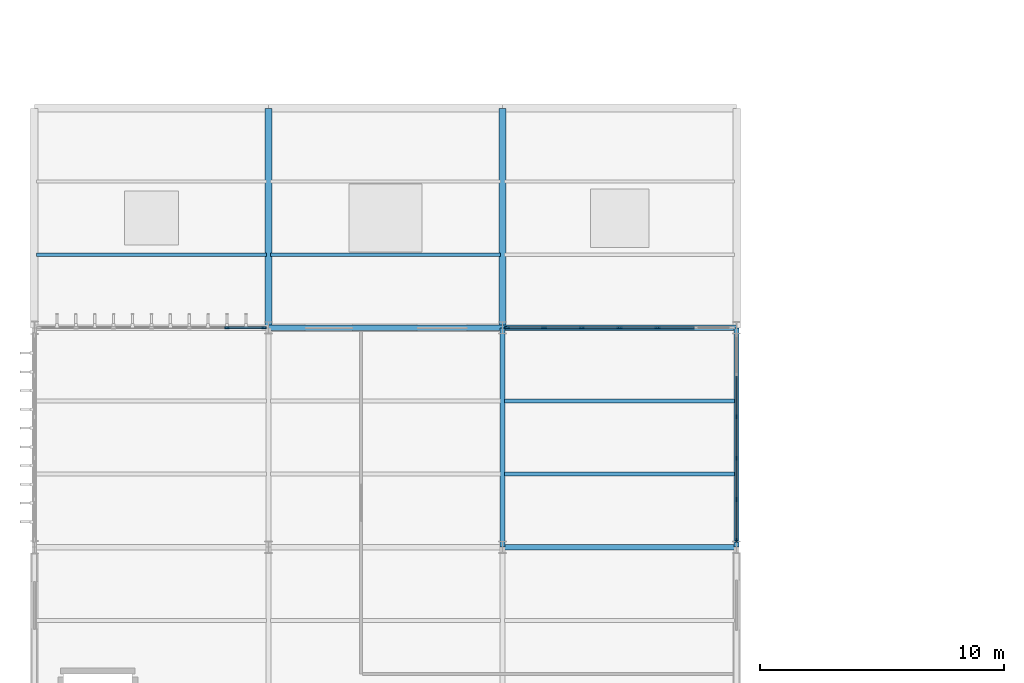
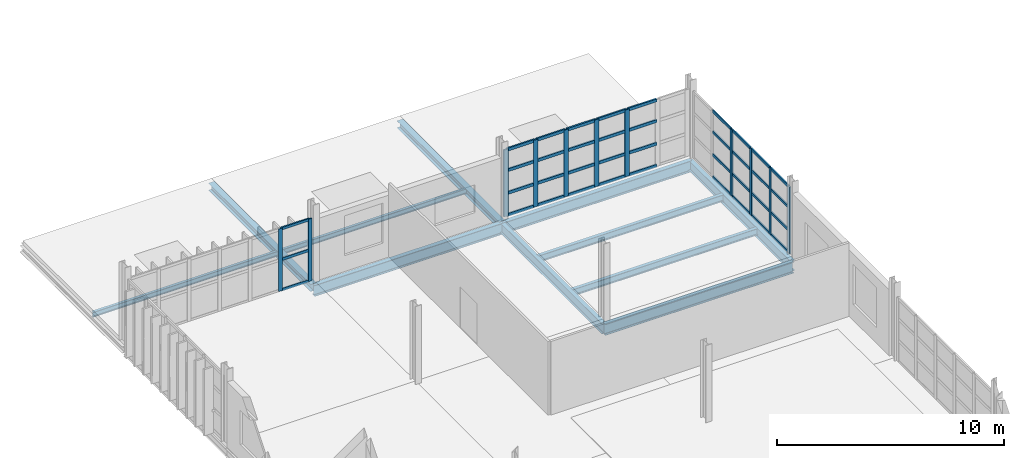
# One storey, part 13 of 52: 50 members, 11 beams, 3 elements without a shape of their own.
"""IFC4 building model written with IfcOpenShell, lengths in metres."""

from ifc_helpers import new_model, si_unit, direction, frame, origin, origin_2d, place, context, subcontext, project, spatial, rectangle, i_section, extrude, material, layer, layer_set, material_profile, profile_set, type_object, element, aggregate, save


model = new_model("IFC4")

# Units and contexts
model_context = context("Model", 3, precision=1e-05, world=origin(), true_north=direction((0.0, 1.0)))
body_context = subcontext(model_context, "Body", "Model", "MODEL_VIEW")
ifc_project = project(units=[si_unit("LENGTHUNIT", "METRE"), si_unit("AREAUNIT", "SQUARE_METRE"), si_unit("VOLUMEUNIT", "CUBIC_METRE"), si_unit("PLANEANGLEUNIT", "RADIAN"), si_unit("MASSUNIT", "GRAM", prefix="KILO")], contexts=[model_context])

# Site, building, storey
site_placement = place(None, origin())
site = spatial("IfcSite", under=ifc_project, at=site_placement, CompositionType="ELEMENT")
building_placement = place(site_placement, origin())
building = spatial("IfcBuilding", under=site, at=building_placement, Name="Zarnetskaya Central Station", CompositionType="ELEMENT")
storey_placement = place(building_placement, frame((0.0, 0.0, 14.39990234375)))
storey = spatial("IfcBuildingStorey", under=building, at=storey_placement, Name="L03", CompositionType="ELEMENT", Elevation=14.39990234375)

# Beams
ifc_material_1 = material(Name="Steel S355", Category="steel")
ifc_material_profile_1 = material_profile(ifc_material_1, i_section(OverallWidth=0.135009765625, OverallDepth=0.27001953125, WebThickness=0.006591796875, FlangeThickness=0.01025390625, FilletRadius=0.014892578125, at=origin_2d()), Name="IPE 270")
ifc_profile_set_1 = profile_set([ifc_material_profile_1], Name="Steel S355")
beam_type_1 = type_object("IfcBeamType", Name="BM-JST-270", PredefinedType="JOIST", material=ifc_profile_set_1)
beam_1_placement = place(storey_placement, frame((0.080078125, 61.199951171875, -0.344970703125), z_axis=(1.0, 0.0, 0.0), x_axis=(0.0, 1.0, 0.0)))
element("IfcBeam", 1, at=beam_1_placement, inside=storey, type_object=beam_type_1, Name="Secondary floor beam SEC-L03-Z1419-AB-89-1", PredefinedType="JOIST", context=body_context, shape_type="SweptSolid", body=[
    extrude(i_section(OverallWidth=0.135009765625, OverallDepth=0.27001953125, WebThickness=0.006591796875, FlangeThickness=0.01025390625, FilletRadius=0.014892578125, at=origin_2d()), origin(), (0.0, 0.0, 1.0), 9.43994140625),
])
beam_2_placement = place(storey_placement, frame((9.679931640625, 61.199951171875, -0.344970703125), z_axis=(1.0, 0.0, 0.0), x_axis=(0.0, 1.0, 0.0)))
element("IfcBeam", 2, at=beam_2_placement, inside=storey, type_object=beam_type_1, Name="Secondary floor beam SEC-L03-Z1419-BC-89-1", PredefinedType="JOIST", context=body_context, shape_type="SweptSolid", body=[
    extrude(i_section(OverallWidth=0.135009765625, OverallDepth=0.27001953125, WebThickness=0.006591796875, FlangeThickness=0.01025390625, FilletRadius=0.014892578125, at=origin_2d()), origin(), (0.0, 0.0, 1.0), 9.440185546875),
])
ifc_material_profile_2 = material_profile(ifc_material_1, i_section(OverallWidth=0.169921875, OverallDepth=0.360107421875, WebThickness=0.008056640625, FlangeThickness=0.0126953125, FilletRadius=0.01806640625, at=origin_2d()), Name="IPE 360")
ifc_profile_set_2 = profile_set([ifc_material_profile_2], Name="Steel S355")
beam_type_2 = type_object("IfcBeamType", Name="BM-SEC-360", PredefinedType="BEAM", material=ifc_profile_set_2)
for number, where, z_axis, x_axis, name in (
    (3, (19.280029296875, 52.199951171875, -0.429931640625), (1.0, 0.0, 0.0), (0.0, 1.0, 0.0), "Secondary floor beam SEC-L03-Z1415-CD-78-1"),
    (4, (19.280029296875, 55.199951171875, -0.429931640625), (1.0, 0.0, 0.0), (0.0, 1.0, 0.0), "Secondary floor beam SEC-L03-Z1415-CD-78-2"),
):
    element("IfcBeam", number, at=place(storey_placement, frame(where, z_axis=z_axis, x_axis=x_axis)), inside=storey, type_object=beam_type_2, Name=name, PredefinedType="BEAM", context=body_context, shape_type="SweptSolid", body=[
        extrude(i_section(OverallWidth=0.169921875, OverallDepth=0.360107421875, WebThickness=0.008056640625, FlangeThickness=0.0126953125, FilletRadius=0.01806640625, at=origin_2d()), origin(), (0.0, 0.0, 1.0), 9.43994140625),
    ])

# Curtain wall, members
ifc_material_2 = material(Name="Low-E insulated glass", Category="glass")
ifc_layer_1 = layer(ifc_material_2, 0.176025390625, Name="Low-E insulated glass", Category="glass")
ifc_layer_set_1 = layer_set([ifc_layer_1], Name="Low-E insulated glass")
curtain_wall_type_1 = type_object("IfcCurtainWallType", Name="CW-SYS-05", PredefinedType="USERDEFINED", material=ifc_layer_set_1)
curtain_wall_1_placement = place(storey_placement, origin())
curtain_wall_1 = element("IfcCurtainWall", 5, at=curtain_wall_1_placement, inside=storey, type_object=curtain_wall_type_1, Name="Curtain wall CW-L03-035", ObjectType="CURTAIN WALL", PredefinedType="USERDEFINED")
ifc_material_3 = material(Name="Anodised aluminium", Category="aluminium")
ifc_material_profile_3 = material_profile(ifc_material_3, rectangle(XDim=0.070068359375, YDim=0.179931640625, at=origin_2d()), Name="ALU MULL 70x180")
ifc_profile_set_3 = profile_set([ifc_material_profile_3], Name="Anodised aluminium")
member_type_1 = type_object("IfcMemberType", Name="CW-MULL-180", PredefinedType="MULLION", material=ifc_profile_set_3)
member_1_placement = place(storey_placement, frame((7.89990234375, 58.199951171875, 0.0), z_axis=(0.0, 0.0, 1.0), x_axis=(0.0, 1.0, 0.0)))
member_1 = element("IfcMember", 6, at=member_1_placement, type_object=member_type_1, Name="CW-14 mullion 6", PredefinedType="MULLION", context=body_context, shape_type="SweptSolid", body=[
    extrude(rectangle(XDim=0.070068359375, YDim=0.179931640625, at=origin_2d()), origin(), (0.0, 0.0, 1.0), 3.360107421875),
])
member_2_placement = place(storey_placement, frame((9.4150390625, 58.199951171875, 0.0), z_axis=(0.0, 0.0, 1.0), x_axis=(0.0, 1.0, 0.0)))
member_2 = element("IfcMember", 7, at=member_2_placement, type_object=member_type_1, Name="CW-14 mullion 7", PredefinedType="MULLION", context=body_context, shape_type="SweptSolid", body=[
    extrude(rectangle(XDim=0.070068359375, YDim=0.179931640625, at=origin_2d()), origin(), (0.0, 0.0, 1.0), 3.360107421875),
])

curtain_wall_2_placement = place(storey_placement, origin())
curtain_wall_2 = element("IfcCurtainWall", 8, at=curtain_wall_2_placement, inside=storey, type_object=curtain_wall_type_1, Name="Curtain wall CW-L03-037", ObjectType="CURTAIN WALL", PredefinedType="USERDEFINED")
member_3_placement = place(storey_placement, frame((28.800048828125, 54.550048828125, 0.0), z_axis=(0.0, 0.0, 1.0), x_axis=(1.0, 0.0, 0.0)))
member_3 = element("IfcMember", 9, at=member_3_placement, type_object=member_type_1, Name="CW-14 mullion 3", PredefinedType="MULLION", context=body_context, shape_type="SweptSolid", body=[
    extrude(rectangle(XDim=0.070068359375, YDim=0.179931640625, at=origin_2d()), origin(), (0.0, 0.0, 1.0), 3.60009765625),
])
member_4_placement = place(storey_placement, frame((28.800048828125, 52.85009765625, 0.0), z_axis=(0.0, 0.0, 1.0), x_axis=(1.0, 0.0, 0.0)))
member_4 = element("IfcMember", 10, at=member_4_placement, type_object=member_type_1, Name="CW-14 mullion 4", PredefinedType="MULLION", context=body_context, shape_type="SweptSolid", body=[
    extrude(rectangle(XDim=0.070068359375, YDim=0.179931640625, at=origin_2d()), origin(), (0.0, 0.0, 1.0), 3.60009765625),
])
member_5_placement = place(storey_placement, frame((28.800048828125, 51.14990234375, 0.0), z_axis=(0.0, 0.0, 1.0), x_axis=(1.0, 0.0, 0.0)))
member_5 = element("IfcMember", 11, at=member_5_placement, type_object=member_type_1, Name="CW-14 mullion 5", PredefinedType="MULLION", context=body_context, shape_type="SweptSolid", body=[
    extrude(rectangle(XDim=0.070068359375, YDim=0.179931640625, at=origin_2d()), origin(), (0.0, 0.0, 1.0), 3.60009765625),
])
member_6_placement = place(storey_placement, frame((28.800048828125, 49.485107421875, 0.0), z_axis=(0.0, 0.0, 1.0), x_axis=(1.0, 0.0, 0.0)))
member_6 = element("IfcMember", 12, at=member_6_placement, type_object=member_type_1, Name="CW-14 mullion 6", PredefinedType="MULLION", context=body_context, shape_type="SweptSolid", body=[
    extrude(rectangle(XDim=0.070068359375, YDim=0.179931640625, at=origin_2d()), origin(), (0.0, 0.0, 1.0), 3.60009765625),
])

ifc_layer_2 = layer(ifc_material_2, 0.1640625, Name="Low-E insulated glass", Category="glass")
ifc_layer_set_2 = layer_set([ifc_layer_2], Name="Low-E insulated glass")
curtain_wall_type_2 = type_object("IfcCurtainWallType", Name="CW-SYS-07", PredefinedType="USERDEFINED", material=ifc_layer_set_2)
curtain_wall_3_placement = place(storey_placement, origin())
curtain_wall_3 = element("IfcCurtainWall", 13, at=curtain_wall_3_placement, inside=storey, type_object=curtain_wall_type_2, Name="Curtain wall CW-L03-036", ObjectType="CURTAIN WALL", PredefinedType="USERDEFINED")
ifc_material_profile_4 = material_profile(ifc_material_3, rectangle(XDim=0.080078125, YDim=0.219970703125, at=origin_2d()), Name="ALU MULL 80x220")
ifc_profile_set_4 = profile_set([ifc_material_profile_4], Name="Anodised aluminium")
member_type_2 = type_object("IfcMemberType", Name="CW-MULL-220", PredefinedType="MULLION", material=ifc_profile_set_4)
member_7_placement = place(storey_placement, frame((19.389892578125, 58.199951171875, 0.0), z_axis=(0.0, 0.0, 1.0), x_axis=(0.0, 1.0, 0.0)))
member_7 = element("IfcMember", 14, at=member_7_placement, type_object=member_type_2, Name="CW-06 mullion 1", PredefinedType="MULLION", context=body_context, shape_type="SweptSolid", body=[
    extrude(rectangle(XDim=0.080078125, YDim=0.219970703125, at=origin_2d()), origin(), (0.0, 0.0, 1.0), 3.60009765625),
])
member_8_placement = place(storey_placement, frame((20.89990234375, 58.199951171875, 0.0), z_axis=(0.0, 0.0, 1.0), x_axis=(0.0, 1.0, 0.0)))
member_8 = element("IfcMember", 15, at=member_8_placement, type_object=member_type_2, Name="CW-06 mullion 2", PredefinedType="MULLION", context=body_context, shape_type="SweptSolid", body=[
    extrude(rectangle(XDim=0.080078125, YDim=0.219970703125, at=origin_2d()), origin(), (0.0, 0.0, 1.0), 3.60009765625),
])
member_9_placement = place(storey_placement, frame((22.449951171875, 58.199951171875, 0.0), z_axis=(0.0, 0.0, 1.0), x_axis=(0.0, 1.0, 0.0)))
member_9 = element("IfcMember", 16, at=member_9_placement, type_object=member_type_2, Name="CW-06 mullion 3", PredefinedType="MULLION", context=body_context, shape_type="SweptSolid", body=[
    extrude(rectangle(XDim=0.080078125, YDim=0.219970703125, at=origin_2d()), origin(), (0.0, 0.0, 1.0), 3.60009765625),
])
member_10_placement = place(storey_placement, frame((24.0, 58.199951171875, 0.0), z_axis=(0.0, 0.0, 1.0), x_axis=(0.0, 1.0, 0.0)))
member_10 = element("IfcMember", 17, at=member_10_placement, type_object=member_type_2, Name="CW-06 mullion 4", PredefinedType="MULLION", context=body_context, shape_type="SweptSolid", body=[
    extrude(rectangle(XDim=0.080078125, YDim=0.219970703125, at=origin_2d()), origin(), (0.0, 0.0, 1.0), 3.60009765625),
])
member_11_placement = place(storey_placement, frame((25.550048828125, 58.199951171875, 0.0), z_axis=(0.0, 0.0, 1.0), x_axis=(0.0, 1.0, 0.0)))
member_11 = element("IfcMember", 18, at=member_11_placement, type_object=member_type_2, Name="CW-06 mullion 5", PredefinedType="MULLION", context=body_context, shape_type="SweptSolid", body=[
    extrude(rectangle(XDim=0.080078125, YDim=0.219970703125, at=origin_2d()), origin(), (0.0, 0.0, 1.0), 3.60009765625),
])

# Member
ifc_material_profile_5 = material_profile(ifc_material_3, rectangle(XDim=0.070068359375, YDim=0.139892578125, at=origin_2d()), Name="ALU TRAN 70x140")
ifc_profile_set_5 = profile_set([ifc_material_profile_5], Name="Anodised aluminium")
member_type_3 = type_object("IfcMemberType", Name="CW-TRAN-140", PredefinedType="USERDEFINED", material=ifc_profile_set_5)
member_12_placement = place(storey_placement, frame((7.93505859375, 58.199951171875, 0.03515625), z_axis=(1.0, 0.0, 0.0), x_axis=(0.0, 1.0, 0.0)))
member_12 = element("IfcMember", 19, at=member_12_placement, type_object=member_type_3, Name="CW-14 transom 6.1", ObjectType="TRANSOM", PredefinedType="USERDEFINED", context=body_context, shape_type="SweptSolid", body=[
    extrude(rectangle(XDim=0.070068359375, YDim=0.139892578125, at=origin_2d()), origin(), (0.0, 0.0, 1.0), 1.44482421875),
])

member_13_placement = place(storey_placement, frame((7.93505859375, 58.199951171875, 1.68017578125), z_axis=(1.0, 0.0, 0.0), x_axis=(0.0, 1.0, 0.0)))
member_13 = element("IfcMember", 20, at=member_13_placement, type_object=member_type_3, Name="CW-14 transom 6.2", ObjectType="TRANSOM", PredefinedType="USERDEFINED", context=body_context, shape_type="SweptSolid", body=[
    extrude(rectangle(XDim=0.070068359375, YDim=0.139892578125, at=origin_2d()), origin(), (0.0, 0.0, 1.0), 1.44482421875),
])

member_14_placement = place(storey_placement, frame((7.93505859375, 58.199951171875, 3.3251953125), z_axis=(1.0, 0.0, 0.0), x_axis=(0.0, 1.0, 0.0)))
member_14 = element("IfcMember", 21, at=member_14_placement, type_object=member_type_3, Name="CW-14 transom 6.3", ObjectType="TRANSOM", PredefinedType="USERDEFINED", context=body_context, shape_type="SweptSolid", body=[
    extrude(rectangle(XDim=0.070068359375, YDim=0.139892578125, at=origin_2d()), origin(), (0.0, 0.0, 1.0), 1.44482421875),
])

aggregate(curtain_wall_1, [member_1, member_2, member_12, member_13, member_14])

member_15_placement = place(storey_placement, frame((28.800048828125, 56.215087890625, 0.03515625), z_axis=(0.0, -1.0, 0.0), x_axis=(1.0, 0.0, 0.0)))
member_15 = element("IfcMember", 22, at=member_15_placement, type_object=member_type_3, Name="CW-14 transom 2.1", ObjectType="TRANSOM", PredefinedType="USERDEFINED", context=body_context, shape_type="SweptSolid", body=[
    extrude(rectangle(XDim=0.070068359375, YDim=0.139892578125, at=origin_2d()), origin(), (0.0, 0.0, 1.0), 1.630126953125),
])

member_16_placement = place(storey_placement, frame((28.800048828125, 56.215087890625, 1.22412109375), z_axis=(0.0, -1.0, 0.0), x_axis=(1.0, 0.0, 0.0)))
member_16 = element("IfcMember", 23, at=member_16_placement, type_object=member_type_3, Name="CW-14 transom 2.2", ObjectType="TRANSOM", PredefinedType="USERDEFINED", context=body_context, shape_type="SweptSolid", body=[
    extrude(rectangle(XDim=0.070068359375, YDim=0.139892578125, at=origin_2d()), origin(), (0.0, 0.0, 1.0), 1.630126953125),
])

member_17_placement = place(storey_placement, frame((28.800048828125, 56.215087890625, 2.447998046875), z_axis=(0.0, -1.0, 0.0), x_axis=(1.0, 0.0, 0.0)))
member_17 = element("IfcMember", 24, at=member_17_placement, type_object=member_type_3, Name="CW-14 transom 2.3", ObjectType="TRANSOM", PredefinedType="USERDEFINED", context=body_context, shape_type="SweptSolid", body=[
    extrude(rectangle(XDim=0.070068359375, YDim=0.139892578125, at=origin_2d()), origin(), (0.0, 0.0, 1.0), 1.630126953125),
])

member_18_placement = place(storey_placement, frame((28.800048828125, 56.215087890625, 3.565185546875), z_axis=(0.0, -1.0, 0.0), x_axis=(1.0, 0.0, 0.0)))
member_18 = element("IfcMember", 25, at=member_18_placement, type_object=member_type_3, Name="CW-14 transom 2.4", ObjectType="TRANSOM", PredefinedType="USERDEFINED", context=body_context, shape_type="SweptSolid", body=[
    extrude(rectangle(XDim=0.070068359375, YDim=0.139892578125, at=origin_2d()), origin(), (0.0, 0.0, 1.0), 1.630126953125),
])

member_19_placement = place(storey_placement, frame((28.800048828125, 54.514892578125, 0.03515625), z_axis=(0.0, -1.0, 0.0), x_axis=(1.0, 0.0, 0.0)))
member_19 = element("IfcMember", 26, at=member_19_placement, type_object=member_type_3, Name="CW-14 transom 3.1", ObjectType="TRANSOM", PredefinedType="USERDEFINED", context=body_context, shape_type="SweptSolid", body=[
    extrude(rectangle(XDim=0.070068359375, YDim=0.139892578125, at=origin_2d()), origin(), (0.0, 0.0, 1.0), 1.6298828125),
])

member_20_placement = place(storey_placement, frame((28.800048828125, 54.514892578125, 1.22412109375), z_axis=(0.0, -1.0, 0.0), x_axis=(1.0, 0.0, 0.0)))
member_20 = element("IfcMember", 27, at=member_20_placement, type_object=member_type_3, Name="CW-14 transom 3.2", ObjectType="TRANSOM", PredefinedType="USERDEFINED", context=body_context, shape_type="SweptSolid", body=[
    extrude(rectangle(XDim=0.070068359375, YDim=0.139892578125, at=origin_2d()), origin(), (0.0, 0.0, 1.0), 1.6298828125),
])

member_21_placement = place(storey_placement, frame((28.800048828125, 54.514892578125, 2.447998046875), z_axis=(0.0, -1.0, 0.0), x_axis=(1.0, 0.0, 0.0)))
member_21 = element("IfcMember", 28, at=member_21_placement, type_object=member_type_3, Name="CW-14 transom 3.3", ObjectType="TRANSOM", PredefinedType="USERDEFINED", context=body_context, shape_type="SweptSolid", body=[
    extrude(rectangle(XDim=0.070068359375, YDim=0.139892578125, at=origin_2d()), origin(), (0.0, 0.0, 1.0), 1.6298828125),
])

member_22_placement = place(storey_placement, frame((28.800048828125, 54.514892578125, 3.565185546875), z_axis=(0.0, -1.0, 0.0), x_axis=(1.0, 0.0, 0.0)))
member_22 = element("IfcMember", 29, at=member_22_placement, type_object=member_type_3, Name="CW-14 transom 3.4", ObjectType="TRANSOM", PredefinedType="USERDEFINED", context=body_context, shape_type="SweptSolid", body=[
    extrude(rectangle(XDim=0.070068359375, YDim=0.139892578125, at=origin_2d()), origin(), (0.0, 0.0, 1.0), 1.6298828125),
])

member_23_placement = place(storey_placement, frame((28.800048828125, 52.81494140625, 0.03515625), z_axis=(0.0, -1.0, 0.0), x_axis=(1.0, 0.0, 0.0)))
member_23 = element("IfcMember", 30, at=member_23_placement, type_object=member_type_3, Name="CW-14 transom 4.1", ObjectType="TRANSOM", PredefinedType="USERDEFINED", context=body_context, shape_type="SweptSolid", body=[
    extrude(rectangle(XDim=0.070068359375, YDim=0.139892578125, at=origin_2d()), origin(), (0.0, 0.0, 1.0), 1.6298828125),
])

member_24_placement = place(storey_placement, frame((28.800048828125, 52.81494140625, 1.22412109375), z_axis=(0.0, -1.0, 0.0), x_axis=(1.0, 0.0, 0.0)))
member_24 = element("IfcMember", 31, at=member_24_placement, type_object=member_type_3, Name="CW-14 transom 4.2", ObjectType="TRANSOM", PredefinedType="USERDEFINED", context=body_context, shape_type="SweptSolid", body=[
    extrude(rectangle(XDim=0.070068359375, YDim=0.139892578125, at=origin_2d()), origin(), (0.0, 0.0, 1.0), 1.6298828125),
])

member_25_placement = place(storey_placement, frame((28.800048828125, 52.81494140625, 2.447998046875), z_axis=(0.0, -1.0, 0.0), x_axis=(1.0, 0.0, 0.0)))
member_25 = element("IfcMember", 32, at=member_25_placement, type_object=member_type_3, Name="CW-14 transom 4.3", ObjectType="TRANSOM", PredefinedType="USERDEFINED", context=body_context, shape_type="SweptSolid", body=[
    extrude(rectangle(XDim=0.070068359375, YDim=0.139892578125, at=origin_2d()), origin(), (0.0, 0.0, 1.0), 1.6298828125),
])

member_26_placement = place(storey_placement, frame((28.800048828125, 52.81494140625, 3.565185546875), z_axis=(0.0, -1.0, 0.0), x_axis=(1.0, 0.0, 0.0)))
member_26 = element("IfcMember", 33, at=member_26_placement, type_object=member_type_3, Name="CW-14 transom 4.4", ObjectType="TRANSOM", PredefinedType="USERDEFINED", context=body_context, shape_type="SweptSolid", body=[
    extrude(rectangle(XDim=0.070068359375, YDim=0.139892578125, at=origin_2d()), origin(), (0.0, 0.0, 1.0), 1.6298828125),
])

member_27_placement = place(storey_placement, frame((28.800048828125, 51.114990234375, 0.03515625), z_axis=(0.0, -1.0, 0.0), x_axis=(1.0, 0.0, 0.0)))
member_27 = element("IfcMember", 34, at=member_27_placement, type_object=member_type_3, Name="CW-14 transom 5.1", ObjectType="TRANSOM", PredefinedType="USERDEFINED", context=body_context, shape_type="SweptSolid", body=[
    extrude(rectangle(XDim=0.070068359375, YDim=0.139892578125, at=origin_2d()), origin(), (0.0, 0.0, 1.0), 1.594970703125),
])

member_28_placement = place(storey_placement, frame((28.800048828125, 51.114990234375, 1.22412109375), z_axis=(0.0, -1.0, 0.0), x_axis=(1.0, 0.0, 0.0)))
member_28 = element("IfcMember", 35, at=member_28_placement, type_object=member_type_3, Name="CW-14 transom 5.2", ObjectType="TRANSOM", PredefinedType="USERDEFINED", context=body_context, shape_type="SweptSolid", body=[
    extrude(rectangle(XDim=0.070068359375, YDim=0.139892578125, at=origin_2d()), origin(), (0.0, 0.0, 1.0), 1.594970703125),
])

member_29_placement = place(storey_placement, frame((28.800048828125, 51.114990234375, 2.447998046875), z_axis=(0.0, -1.0, 0.0), x_axis=(1.0, 0.0, 0.0)))
member_29 = element("IfcMember", 36, at=member_29_placement, type_object=member_type_3, Name="CW-14 transom 5.3", ObjectType="TRANSOM", PredefinedType="USERDEFINED", context=body_context, shape_type="SweptSolid", body=[
    extrude(rectangle(XDim=0.070068359375, YDim=0.139892578125, at=origin_2d()), origin(), (0.0, 0.0, 1.0), 1.594970703125),
])

member_30_placement = place(storey_placement, frame((28.800048828125, 51.114990234375, 3.565185546875), z_axis=(0.0, -1.0, 0.0), x_axis=(1.0, 0.0, 0.0)))
member_30 = element("IfcMember", 37, at=member_30_placement, type_object=member_type_3, Name="CW-14 transom 5.4", ObjectType="TRANSOM", PredefinedType="USERDEFINED", context=body_context, shape_type="SweptSolid", body=[
    extrude(rectangle(XDim=0.070068359375, YDim=0.139892578125, at=origin_2d()), origin(), (0.0, 0.0, 1.0), 1.594970703125),
])

aggregate(curtain_wall_2, [member_3, member_4, member_5, member_6, member_15, member_16, member_17, member_18, member_19, member_20, member_21, member_22, member_23, member_24, member_25, member_26, member_27, member_28, member_29, member_30])

ifc_material_profile_6 = material_profile(ifc_material_3, rectangle(XDim=0.080078125, YDim=0.159912109375, at=origin_2d()), Name="ALU TRAN 80x160")
ifc_profile_set_6 = profile_set([ifc_material_profile_6], Name="Anodised aluminium")
member_type_4 = type_object("IfcMemberType", Name="CW-TRAN-160", PredefinedType="USERDEFINED", material=ifc_profile_set_6)
member_31_placement = place(storey_placement, frame((19.429931640625, 58.199951171875, 0.0400390625), z_axis=(1.0, 0.0, 0.0), x_axis=(0.0, 1.0, 0.0)))
member_31 = element("IfcMember", 38, at=member_31_placement, type_object=member_type_4, Name="CW-06 transom 1.1", ObjectType="TRANSOM", PredefinedType="USERDEFINED", context=body_context, shape_type="SweptSolid", body=[
    extrude(rectangle(XDim=0.080078125, YDim=0.159912109375, at=origin_2d()), origin(), (0.0, 0.0, 1.0), 1.43017578125),
])

member_32_placement = place(storey_placement, frame((19.429931640625, 58.199951171875, 1.22412109375), z_axis=(1.0, 0.0, 0.0), x_axis=(0.0, 1.0, 0.0)))
member_32 = element("IfcMember", 39, at=member_32_placement, type_object=member_type_4, Name="CW-06 transom 1.2", ObjectType="TRANSOM", PredefinedType="USERDEFINED", context=body_context, shape_type="SweptSolid", body=[
    extrude(rectangle(XDim=0.080078125, YDim=0.159912109375, at=origin_2d()), origin(), (0.0, 0.0, 1.0), 1.43017578125),
])

member_33_placement = place(storey_placement, frame((19.429931640625, 58.199951171875, 2.447998046875), z_axis=(1.0, 0.0, 0.0), x_axis=(0.0, 1.0, 0.0)))
member_33 = element("IfcMember", 40, at=member_33_placement, type_object=member_type_4, Name="CW-06 transom 1.3", ObjectType="TRANSOM", PredefinedType="USERDEFINED", context=body_context, shape_type="SweptSolid", body=[
    extrude(rectangle(XDim=0.080078125, YDim=0.159912109375, at=origin_2d()), origin(), (0.0, 0.0, 1.0), 1.43017578125),
])

member_34_placement = place(storey_placement, frame((19.429931640625, 58.199951171875, 3.56005859375), z_axis=(1.0, 0.0, 0.0), x_axis=(0.0, 1.0, 0.0)))
member_34 = element("IfcMember", 41, at=member_34_placement, type_object=member_type_4, Name="CW-06 transom 1.4", ObjectType="TRANSOM", PredefinedType="USERDEFINED", context=body_context, shape_type="SweptSolid", body=[
    extrude(rectangle(XDim=0.080078125, YDim=0.159912109375, at=origin_2d()), origin(), (0.0, 0.0, 1.0), 1.43017578125),
])

member_35_placement = place(storey_placement, frame((20.93994140625, 58.199951171875, 0.0400390625), z_axis=(1.0, 0.0, 0.0), x_axis=(0.0, 1.0, 0.0)))
member_35 = element("IfcMember", 42, at=member_35_placement, type_object=member_type_4, Name="CW-06 transom 2.1", ObjectType="TRANSOM", PredefinedType="USERDEFINED", context=body_context, shape_type="SweptSolid", body=[
    extrude(rectangle(XDim=0.080078125, YDim=0.159912109375, at=origin_2d()), origin(), (0.0, 0.0, 1.0), 1.469970703125),
])

member_36_placement = place(storey_placement, frame((20.93994140625, 58.199951171875, 1.22412109375), z_axis=(1.0, 0.0, 0.0), x_axis=(0.0, 1.0, 0.0)))
member_36 = element("IfcMember", 43, at=member_36_placement, type_object=member_type_4, Name="CW-06 transom 2.2", ObjectType="TRANSOM", PredefinedType="USERDEFINED", context=body_context, shape_type="SweptSolid", body=[
    extrude(rectangle(XDim=0.080078125, YDim=0.159912109375, at=origin_2d()), origin(), (0.0, 0.0, 1.0), 1.469970703125),
])

member_37_placement = place(storey_placement, frame((20.93994140625, 58.199951171875, 2.447998046875), z_axis=(1.0, 0.0, 0.0), x_axis=(0.0, 1.0, 0.0)))
member_37 = element("IfcMember", 44, at=member_37_placement, type_object=member_type_4, Name="CW-06 transom 2.3", ObjectType="TRANSOM", PredefinedType="USERDEFINED", context=body_context, shape_type="SweptSolid", body=[
    extrude(rectangle(XDim=0.080078125, YDim=0.159912109375, at=origin_2d()), origin(), (0.0, 0.0, 1.0), 1.469970703125),
])

member_38_placement = place(storey_placement, frame((20.93994140625, 58.199951171875, 3.56005859375), z_axis=(1.0, 0.0, 0.0), x_axis=(0.0, 1.0, 0.0)))
member_38 = element("IfcMember", 45, at=member_38_placement, type_object=member_type_4, Name="CW-06 transom 2.4", ObjectType="TRANSOM", PredefinedType="USERDEFINED", context=body_context, shape_type="SweptSolid", body=[
    extrude(rectangle(XDim=0.080078125, YDim=0.159912109375, at=origin_2d()), origin(), (0.0, 0.0, 1.0), 1.469970703125),
])

member_39_placement = place(storey_placement, frame((22.489990234375, 58.199951171875, 0.0400390625), z_axis=(1.0, 0.0, 0.0), x_axis=(0.0, 1.0, 0.0)))
member_39 = element("IfcMember", 46, at=member_39_placement, type_object=member_type_4, Name="CW-06 transom 3.1", ObjectType="TRANSOM", PredefinedType="USERDEFINED", context=body_context, shape_type="SweptSolid", body=[
    extrude(rectangle(XDim=0.080078125, YDim=0.159912109375, at=origin_2d()), origin(), (0.0, 0.0, 1.0), 1.469970703125),
])

member_40_placement = place(storey_placement, frame((22.489990234375, 58.199951171875, 1.22412109375), z_axis=(1.0, 0.0, 0.0), x_axis=(0.0, 1.0, 0.0)))
member_40 = element("IfcMember", 47, at=member_40_placement, type_object=member_type_4, Name="CW-06 transom 3.2", ObjectType="TRANSOM", PredefinedType="USERDEFINED", context=body_context, shape_type="SweptSolid", body=[
    extrude(rectangle(XDim=0.080078125, YDim=0.159912109375, at=origin_2d()), origin(), (0.0, 0.0, 1.0), 1.469970703125),
])

member_41_placement = place(storey_placement, frame((22.489990234375, 58.199951171875, 2.447998046875), z_axis=(1.0, 0.0, 0.0), x_axis=(0.0, 1.0, 0.0)))
member_41 = element("IfcMember", 48, at=member_41_placement, type_object=member_type_4, Name="CW-06 transom 3.3", ObjectType="TRANSOM", PredefinedType="USERDEFINED", context=body_context, shape_type="SweptSolid", body=[
    extrude(rectangle(XDim=0.080078125, YDim=0.159912109375, at=origin_2d()), origin(), (0.0, 0.0, 1.0), 1.469970703125),
])

member_42_placement = place(storey_placement, frame((22.489990234375, 58.199951171875, 3.56005859375), z_axis=(1.0, 0.0, 0.0), x_axis=(0.0, 1.0, 0.0)))
member_42 = element("IfcMember", 49, at=member_42_placement, type_object=member_type_4, Name="CW-06 transom 3.4", ObjectType="TRANSOM", PredefinedType="USERDEFINED", context=body_context, shape_type="SweptSolid", body=[
    extrude(rectangle(XDim=0.080078125, YDim=0.159912109375, at=origin_2d()), origin(), (0.0, 0.0, 1.0), 1.469970703125),
])

member_43_placement = place(storey_placement, frame((24.0400390625, 58.199951171875, 0.0400390625), z_axis=(1.0, 0.0, 0.0), x_axis=(0.0, 1.0, 0.0)))
member_43 = element("IfcMember", 50, at=member_43_placement, type_object=member_type_4, Name="CW-06 transom 4.1", ObjectType="TRANSOM", PredefinedType="USERDEFINED", context=body_context, shape_type="SweptSolid", body=[
    extrude(rectangle(XDim=0.080078125, YDim=0.159912109375, at=origin_2d()), origin(), (0.0, 0.0, 1.0), 1.469970703125),
])

member_44_placement = place(storey_placement, frame((24.0400390625, 58.199951171875, 1.22412109375), z_axis=(1.0, 0.0, 0.0), x_axis=(0.0, 1.0, 0.0)))
member_44 = element("IfcMember", 51, at=member_44_placement, type_object=member_type_4, Name="CW-06 transom 4.2", ObjectType="TRANSOM", PredefinedType="USERDEFINED", context=body_context, shape_type="SweptSolid", body=[
    extrude(rectangle(XDim=0.080078125, YDim=0.159912109375, at=origin_2d()), origin(), (0.0, 0.0, 1.0), 1.469970703125),
])

member_45_placement = place(storey_placement, frame((24.0400390625, 58.199951171875, 2.447998046875), z_axis=(1.0, 0.0, 0.0), x_axis=(0.0, 1.0, 0.0)))
member_45 = element("IfcMember", 52, at=member_45_placement, type_object=member_type_4, Name="CW-06 transom 4.3", ObjectType="TRANSOM", PredefinedType="USERDEFINED", context=body_context, shape_type="SweptSolid", body=[
    extrude(rectangle(XDim=0.080078125, YDim=0.159912109375, at=origin_2d()), origin(), (0.0, 0.0, 1.0), 1.469970703125),
])

member_46_placement = place(storey_placement, frame((24.0400390625, 58.199951171875, 3.56005859375), z_axis=(1.0, 0.0, 0.0), x_axis=(0.0, 1.0, 0.0)))
member_46 = element("IfcMember", 53, at=member_46_placement, type_object=member_type_4, Name="CW-06 transom 4.4", ObjectType="TRANSOM", PredefinedType="USERDEFINED", context=body_context, shape_type="SweptSolid", body=[
    extrude(rectangle(XDim=0.080078125, YDim=0.159912109375, at=origin_2d()), origin(), (0.0, 0.0, 1.0), 1.469970703125),
])

member_47_placement = place(storey_placement, frame((25.590087890625, 58.199951171875, 0.0400390625), z_axis=(1.0, 0.0, 0.0), x_axis=(0.0, 1.0, 0.0)))
member_47 = element("IfcMember", 54, at=member_47_placement, type_object=member_type_4, Name="CW-06 transom 5.1", ObjectType="TRANSOM", PredefinedType="USERDEFINED", context=body_context, shape_type="SweptSolid", body=[
    extrude(rectangle(XDim=0.080078125, YDim=0.159912109375, at=origin_2d()), origin(), (0.0, 0.0, 1.0), 1.469970703125),
])

member_48_placement = place(storey_placement, frame((25.590087890625, 58.199951171875, 1.22412109375), z_axis=(1.0, 0.0, 0.0), x_axis=(0.0, 1.0, 0.0)))
member_48 = element("IfcMember", 55, at=member_48_placement, type_object=member_type_4, Name="CW-06 transom 5.2", ObjectType="TRANSOM", PredefinedType="USERDEFINED", context=body_context, shape_type="SweptSolid", body=[
    extrude(rectangle(XDim=0.080078125, YDim=0.159912109375, at=origin_2d()), origin(), (0.0, 0.0, 1.0), 1.469970703125),
])

member_49_placement = place(storey_placement, frame((25.590087890625, 58.199951171875, 2.447998046875), z_axis=(1.0, 0.0, 0.0), x_axis=(0.0, 1.0, 0.0)))
member_49 = element("IfcMember", 56, at=member_49_placement, type_object=member_type_4, Name="CW-06 transom 5.3", ObjectType="TRANSOM", PredefinedType="USERDEFINED", context=body_context, shape_type="SweptSolid", body=[
    extrude(rectangle(XDim=0.080078125, YDim=0.159912109375, at=origin_2d()), origin(), (0.0, 0.0, 1.0), 1.469970703125),
])

member_50_placement = place(storey_placement, frame((25.590087890625, 58.199951171875, 3.56005859375), z_axis=(1.0, 0.0, 0.0), x_axis=(0.0, 1.0, 0.0)))
member_50 = element("IfcMember", 57, at=member_50_placement, type_object=member_type_4, Name="CW-06 transom 5.4", ObjectType="TRANSOM", PredefinedType="USERDEFINED", context=body_context, shape_type="SweptSolid", body=[
    extrude(rectangle(XDim=0.080078125, YDim=0.159912109375, at=origin_2d()), origin(), (0.0, 0.0, 1.0), 1.469970703125),
])

aggregate(curtain_wall_3, [member_7, member_8, member_9, member_10, member_11, member_31, member_32, member_33, member_34, member_35, member_36, member_37, member_38, member_39, member_40, member_41, member_42, member_43, member_44, member_45, member_46, member_47, member_48, member_49, member_50])

# Beams
ifc_material_profile_7 = material_profile(ifc_material_1, i_section(OverallWidth=0.2099609375, OverallDepth=0.550048828125, WebThickness=0.010986328125, FlangeThickness=0.01708984375, FilletRadius=0.02392578125, at=origin_2d()), Name="IPE 550")
ifc_profile_set_7 = profile_set([ifc_material_profile_7], Name="Steel S355")
beam_type_3 = type_object("IfcBeamType", Name="GD-FLR-550", PredefinedType="USERDEFINED", material=ifc_profile_set_7)
for number, where, z_axis, x_axis, name in (
    (58, (19.199951171875, 49.199951171875, -0.52490234375), (0.0, 1.0, 0.0), (-1.0, 0.0, 0.0), "Grid girder GY-L03-C-78"),
    (59, (28.800048828125, 49.199951171875, -0.52490234375), (0.0, 1.0, 0.0), (-1.0, 0.0, 0.0), "Grid girder GY-L03-D-78"),
):
    element("IfcBeam", number, at=place(storey_placement, frame(where, z_axis=z_axis, x_axis=x_axis)), inside=storey, type_object=beam_type_3, Name=name, ObjectType="GIRDER", PredefinedType="USERDEFINED", context=body_context, shape_type="SweptSolid", body=[
        extrude(i_section(OverallWidth=0.2099609375, OverallDepth=0.550048828125, WebThickness=0.010986328125, FlangeThickness=0.01708984375, FilletRadius=0.02392578125, at=origin_2d()), origin(), (0.0, 0.0, 1.0), 9.0),
    ])
ifc_material_profile_8 = material_profile(ifc_material_1, i_section(OverallWidth=0.219970703125, OverallDepth=0.60009765625, WebThickness=0.011962890625, FlangeThickness=0.01904296875, FilletRadius=0.02392578125, at=origin_2d()), Name="IPE 600")
ifc_profile_set_8 = profile_set([ifc_material_profile_8], Name="Steel S355")
beam_type_4 = type_object("IfcBeamType", Name="GD-FLR-600", PredefinedType="USERDEFINED", material=ifc_profile_set_8)
beam_3_placement = place(storey_placement, frame((9.60009765625, 58.199951171875, -0.5498046875), z_axis=(1.0, 0.0, 0.0), x_axis=(0.0, 1.0, 0.0)))
element("IfcBeam", 60, at=beam_3_placement, inside=storey, type_object=beam_type_4, Name="Grid girder GX-L03-8-BC", ObjectType="GIRDER", PredefinedType="USERDEFINED", context=body_context, shape_type="SweptSolid", body=[
    extrude(i_section(OverallWidth=0.219970703125, OverallDepth=0.60009765625, WebThickness=0.011962890625, FlangeThickness=0.01904296875, FilletRadius=0.02392578125, at=origin_2d()), origin(), (0.0, 0.0, 1.0), 9.599853515625),
])
for number, where, z_axis, x_axis, name in (
    (61, (19.199951171875, 49.199951171875, -0.5498046875), (1.0, 0.0, 0.0), (0.0, 1.0, 0.0), "Grid girder GX-L03-7-CD"),
    (62, (19.199951171875, 58.199951171875, -0.5498046875), (1.0, 0.0, 0.0), (0.0, 1.0, 0.0), "Grid girder GX-L03-8-CD"),
):
    element("IfcBeam", number, at=place(storey_placement, frame(where, z_axis=z_axis, x_axis=x_axis)), inside=storey, type_object=beam_type_4, Name=name, ObjectType="GIRDER", PredefinedType="USERDEFINED", context=body_context, shape_type="SweptSolid", body=[
        extrude(i_section(OverallWidth=0.219970703125, OverallDepth=0.60009765625, WebThickness=0.011962890625, FlangeThickness=0.01904296875, FilletRadius=0.02392578125, at=origin_2d()), origin(), (0.0, 0.0, 1.0), 9.60009765625),
    ])
ifc_material_profile_9 = material_profile(ifc_material_1, i_section(OverallWidth=0.300048828125, OverallDepth=0.389892578125, WebThickness=0.010986328125, FlangeThickness=0.01904296875, FilletRadius=0.027099609375, at=origin_2d()), Name="HEA 400")
ifc_profile_set_9 = profile_set([ifc_material_profile_9], Name="Steel S355")
beam_type_5 = type_object("IfcBeamType", Name="GD-ROOF-400", PredefinedType="USERDEFINED", material=ifc_profile_set_9)
for number, where, z_axis, x_axis, name in (
    (63, (9.60009765625, 58.199951171875, -0.40478515625), (0.0, 1.0, 0.0), (-1.0, 0.0, 0.0), "Grid girder GY-L03-B-89"),
    (64, (19.199951171875, 58.199951171875, -0.40478515625), (0.0, 1.0, 0.0), (-1.0, 0.0, 0.0), "Grid girder GY-L03-C-89"),
):
    element("IfcBeam", number, at=place(storey_placement, frame(where, z_axis=z_axis, x_axis=x_axis)), inside=storey, type_object=beam_type_5, Name=name, ObjectType="GIRDER", PredefinedType="USERDEFINED", context=body_context, shape_type="SweptSolid", body=[
        extrude(i_section(OverallWidth=0.300048828125, OverallDepth=0.389892578125, WebThickness=0.010986328125, FlangeThickness=0.01904296875, FilletRadius=0.027099609375, at=origin_2d()), origin(), (0.0, 0.0, 1.0), 9.0),
    ])

save(model, "model.ifc")
